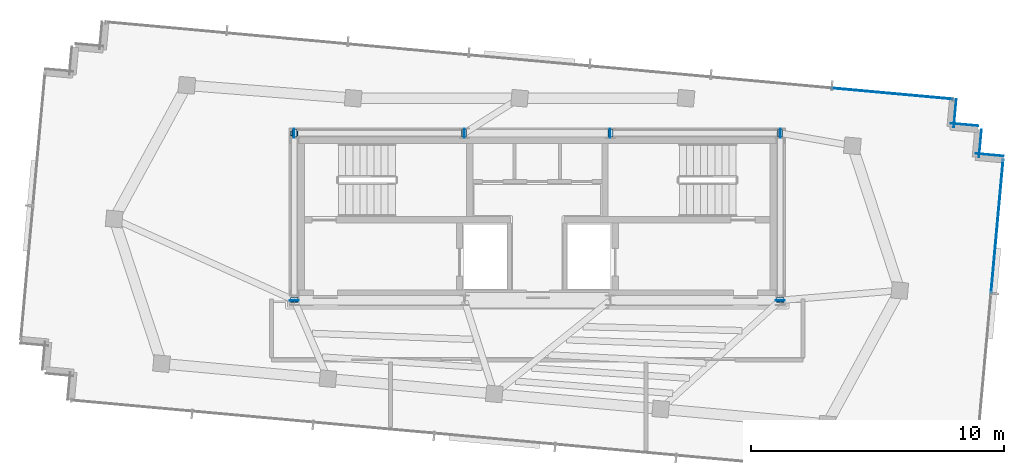
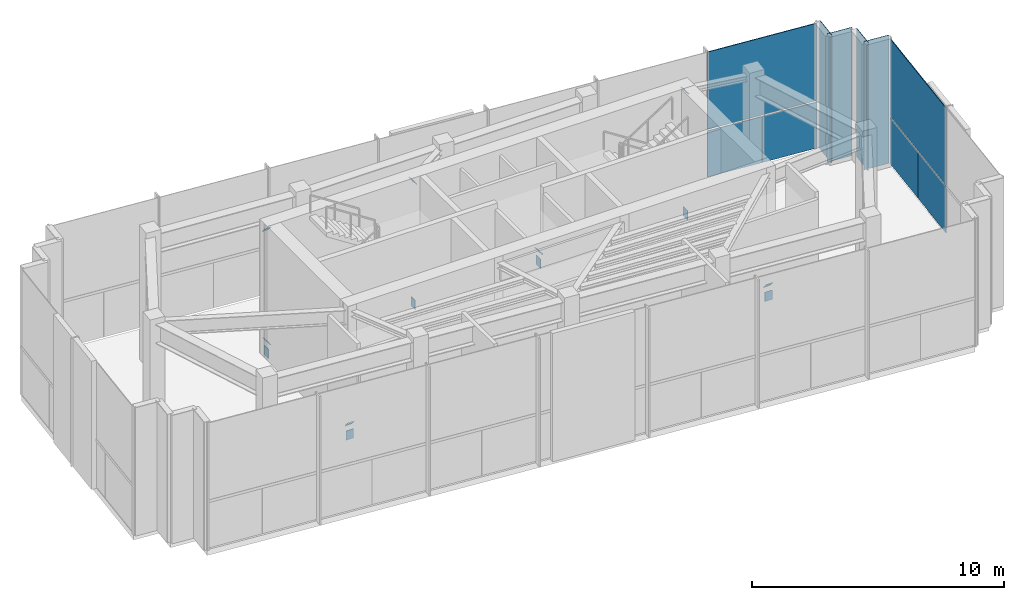
# One storey, part 15 of 19: 23 plates, 2 elements without a shape of their own.
"""IFC4 building model written with IfcOpenShell, lengths in metres."""

from ifc_helpers import new_model, si_unit, direction, frame, origin, origin_2d, place, context, subcontext, project, spatial, rectangle, extrude, source, transform, mapped, material, layer, layer_set, type_object, type_shapes, element, aggregate, save


model = new_model("IFC4")

# Units and contexts
model_context = context("Model", 3, precision=1e-05, world=origin(), true_north=direction((0.0, 1.0)))
body_context = subcontext(model_context, "Body", "Model", "MODEL_VIEW")
ifc_project = project(units=[si_unit("LENGTHUNIT", "METRE"), si_unit("AREAUNIT", "SQUARE_METRE"), si_unit("VOLUMEUNIT", "CUBIC_METRE"), si_unit("PLANEANGLEUNIT", "RADIAN"), si_unit("MASSUNIT", "GRAM", prefix="KILO")], contexts=[model_context])

# Site, building, storey
site_placement = place(None, origin())
site = spatial("IfcSite", under=ifc_project, at=site_placement, CompositionType="ELEMENT")
building_placement = place(site_placement, origin())
building = spatial("IfcBuilding", under=site, at=building_placement, Name="Astriad Promenade Condominiums", CompositionType="ELEMENT")
storey_placement = place(building_placement, frame((0.0, 0.0, 283.800048828125)))
storey = spatial("IfcBuildingStorey", under=building, at=storey_placement, Name="L79", CompositionType="ELEMENT", Elevation=283.800048828125)

# Plates
ifc_material_1 = material(Name="Steel ASTM A572 Grade 50", Category="steel")
ifc_layer_1 = layer(ifc_material_1, 0.02490234375)
ifc_layer_set_1 = layer_set([ifc_layer_1], Name="Steel ASTM A572 Grade 50")
plate_type_1 = type_object("IfcPlateType", Name="STEEL HOLLOW SECTION END CAP PLATE 30", PredefinedType="USERDEFINED", material=ifc_layer_set_1)
shared_shape_1 = source(origin(), body_context, "Body", "SweptSolid", [
    extrude(rectangle(XDim=0.3447265625, YDim=0.4462890625, at=origin_2d()), origin(), (0.0, 0.0, 1.0), 0.02490234375),
])
for number, where, z_axis, x_axis, name in (
    (1, (26.380126953125, 24.0, 0.119873046875), (1.0, 0.0, 0.0), (0.0, 1.0, 0.0), "Hollow Section End Cap Plate HCHORD-L79-01-A"),
    (2, (33.114990234375, 24.0, 0.119873046875), (1.0, 0.0, 0.0), (0.0, 1.0, 0.0), "Hollow Section End Cap Plate HCHORD-L79-01-B"),
    (3, (38.860107421875, 24.0, 0.119873046875), (1.0, 0.0, 0.0), (0.0, 1.0, 0.0), "Hollow Section End Cap Plate HCHORD-L79-02-A"),
    (4, (45.594970703125, 24.0, 0.119873046875), (1.0, 0.0, 0.0), (0.0, 1.0, 0.0), "Hollow Section End Cap Plate HCHORD-L79-02-B"),
    (5, (26.39990234375, 17.380126953125, 0.119873046875), (0.0, 1.0, 0.0), (-1.0, 0.0, 0.0), "Hollow Section End Cap Plate HCHORD-L79-03-A"),
    (6, (45.60009765625, 17.380126953125, 0.119873046875), (0.0, 1.0, 0.0), (-1.0, 0.0, 0.0), "Hollow Section End Cap Plate HCHORD-L79-04-A"),
):
    element("IfcPlate", number, at=place(storey_placement, frame(where, z_axis=z_axis, x_axis=x_axis)), inside=storey, type_object=plate_type_1, Name=name, ObjectType="STIFFENER_PLATE", PredefinedType="USERDEFINED", context=body_context, shape_type="MappedRepresentation", body=[
        mapped(shared_shape_1, transform((0.0, 0.0, 0.0), scale=1.0)),
    ])
shared_shape_2 = source(origin(), body_context, "Body", "SweptSolid", [
    extrude(rectangle(XDim=0.2939453125, YDim=0.2939453125, at=origin_2d()), origin(), (0.0, 0.0, 1.0), 0.02490234375),
])
type_shapes(plate_type_1, [shared_shape_1, shared_shape_2])
for number, where, z_axis, x_axis, name in (
    (7, (26.39990234375, 24.0, 0.619873046875), (0.776675511191, 0.0, 0.629900905155), (0.0, 1.0, 0.0), "Hollow Section End Cap Plate HBRACE-L79-01-A"),
    (8, (33.1005859375, 24.0, 6.054443359375), (0.776675511191, 0.0, 0.629900905155), (0.0, 1.0, 0.0), "Hollow Section End Cap Plate HBRACE-L79-01-B"),
    (9, (38.8798828125, 24.0, 0.619873046875), (0.776675511191, 0.0, 0.629900905155), (0.0, 1.0, 0.0), "Hollow Section End Cap Plate HBRACE-L79-02-A"),
    (10, (45.58056640625, 24.0, 6.054443359375), (0.776675511191, 0.0, 0.629900905155), (0.0, 1.0, 0.0), "Hollow Section End Cap Plate HBRACE-L79-02-B"),
    (11, (26.39990234375, 17.400146484375, 0.6201171875), (0.0, 0.771082160614, 0.636735660681), (-1.0, 0.0, 0.0), "Hollow Section End Cap Plate HBRACE-L79-03-A"),
    (12, (26.39990234375, 23.980712890625, 6.05419921875), (0.0, 0.771082160614, 0.636735660681), (-1.0, 0.0, 0.0), "Hollow Section End Cap Plate HBRACE-L79-03-B"),
    (13, (45.60009765625, 17.400146484375, 0.6201171875), (0.0, 0.771082160614, 0.636735660681), (-1.0, 0.0, 0.0), "Hollow Section End Cap Plate HBRACE-L79-04-A"),
):
    element("IfcPlate", number, at=place(storey_placement, frame(where, z_axis=z_axis, x_axis=x_axis)), inside=storey, type_object=plate_type_1, Name=name, ObjectType="STIFFENER_PLATE", PredefinedType="USERDEFINED", context=body_context, shape_type="MappedRepresentation", body=[
        mapped(shared_shape_2, transform((0.0, 0.0, 0.0), scale=1.0)),
    ])

# Curtain wall, plates
ifc_material_2 = material(Name="Anodised aluminium Black Dark Glass Unitised", Category="aluminium")
curtain_wall_type = type_object("IfcCurtainWallType", Name="CW-TMD-LANTERN", PredefinedType="USERDEFINED", material=ifc_material_2)
curtain_wall_1_placement = place(storey_placement, origin())
curtain_wall_1 = element("IfcCurtainWall", 14, at=curtain_wall_1_placement, inside=storey, type_object=curtain_wall_type, Name="CW-CRN-L79-13", ObjectType="UNITISED_CURTAIN_WALL", PredefinedType="USERDEFINED")
ifc_material_3 = material(Name="Translucent Acoustic Fritted Dark Glass", Category="glass")
ifc_layer_2 = layer(ifc_material_3, 0.035888671875)
ifc_layer_set_2 = layer_set([ifc_layer_2], Name="Translucent Acoustic Fritted Dark Glass")
plate_type_2 = type_object("IfcPlateType", Name="PNL-LANTERN-GLOW-36", PredefinedType="CURTAIN_PANEL", material=ifc_layer_set_2)
shared_shape_3 = source(origin(), body_context, "Body", "SweptSolid", [
    extrude(rectangle(XDim=2.637939453125, YDim=0.035888671875, at=origin_2d()), origin(), (0.0, 0.0, 1.0), 2.22998046875),
])
plate_1_placement = place(storey_placement, frame((54.281982421875, 21.63671875, 0.080078125), z_axis=(0.0, 0.0, 1.0), x_axis=(-0.090632580198, -0.995884398616, 0.0)))
plate_1 = element("IfcPlate", 15, at=plate_1_placement, type_object=plate_type_2, Name="CW-CRN-L79-13-PNL-00-VL", PredefinedType="CURTAIN_PANEL", context=body_context, shape_type="MappedRepresentation", body=[
    mapped(shared_shape_3, transform((0.0, 0.0, 0.0), scale=1.0)),
])
plate_2_placement = place(storey_placement, frame((54.0419921875, 18.99755859375, 0.080078125), z_axis=(0.0, 0.0, 1.0), x_axis=(-0.090632580198, -0.995884398616, 0.0)))
plate_2 = element("IfcPlate", 16, at=plate_2_placement, type_object=plate_type_2, Name="CW-CRN-L79-13-PNL-00-VR", PredefinedType="CURTAIN_PANEL", context=body_context, shape_type="MappedRepresentation", body=[
    mapped(shared_shape_3, transform((0.0, 0.0, 0.0), scale=1.0)),
])
shared_shape_4 = source(origin(), body_context, "Body", "SweptSolid", [
    extrude(rectangle(XDim=5.2880859375, YDim=0.035888671875, at=origin_2d()), origin(), (0.0, 0.0, 1.0), 3.75),
])
plate_3_placement = place(storey_placement, frame((54.162109375, 20.317138671875, 2.389892578125), z_axis=(0.0, 0.0, 1.0), x_axis=(-0.090632580198, -0.995884398616, 0.0)))
plate_3 = element("IfcPlate", 17, at=plate_3_placement, type_object=plate_type_2, Name="CW-CRN-L79-13-PNL-00-S", PredefinedType="CURTAIN_PANEL", context=body_context, shape_type="MappedRepresentation", body=[
    mapped(shared_shape_4, transform((0.0, 0.0, 0.0), scale=1.0)),
])
aggregate(curtain_wall_1, [plate_1, plate_2, plate_3])

# Plates
ifc_material_4 = material(Name="Powder-Coated White Aluminium Cladding Sheet", Category="aluminium")
ifc_layer_3 = layer(ifc_material_4, 0.01806640625)
ifc_layer_set_3 = layer_set([ifc_layer_3], Name="Powder-Coated White Aluminium Cladding Sheet")
plate_type_3 = type_object("IfcPlateType", Name="PNL-CROWN-RING-18", PredefinedType="SHEET", material=ifc_layer_set_3)
shared_shape_5 = source(origin(), body_context, "Body", "SweptSolid", [
    extrude(rectangle(XDim=1.10009765625, YDim=0.02490234375, at=origin_2d()), origin(), (0.0, 0.0, 1.0), 6.219970703125),
])
for number, where, z_axis, x_axis, name in (
    (18, (52.5, 24.785888671875, 0.0), (0.0, 0.0, 1.0), (-0.090632580198, -0.995884398616, 0.0), "PLT-CRN-L79-09"),
    (19, (52.871337890625, 24.340576171875, 0.0), (0.0, 0.0, 1.0), (0.995884398616, -0.090632580198, 0.0), "PLT-CRN-L79-10"),
    (20, (53.8671875, 23.1455078125, 0.0), (0.0, 0.0, 1.0), (0.995884398616, -0.090632580198, 0.0), "PLT-CRN-L79-12"),
):
    element("IfcPlate", number, at=place(storey_placement, frame(where, z_axis=z_axis, x_axis=x_axis)), inside=storey, type_object=plate_type_3, Name=name, PredefinedType="SHEET", context=body_context, shape_type="MappedRepresentation", body=[
        mapped(shared_shape_5, transform((0.0, 0.0, 0.0), scale=1.0)),
    ])
shared_shape_6 = source(origin(), body_context, "Body", "SweptSolid", [
    extrude(rectangle(XDim=1.099853515625, YDim=0.02490234375, at=origin_2d()), origin(), (0.0, 0.0, 1.0), 6.219970703125),
])
type_shapes(plate_type_3, [shared_shape_5, shared_shape_6])
plate_4_placement = place(storey_placement, frame((53.495849609375, 23.5908203125, 0.0), z_axis=(0.0, 0.0, 1.0), x_axis=(-0.090649961646, -0.995882816627, 0.0)))
element("IfcPlate", 21, at=plate_4_placement, inside=storey, type_object=plate_type_3, Name="PLT-CRN-L79-11", PredefinedType="SHEET", context=body_context, shape_type="MappedRepresentation", body=[
    mapped(shared_shape_6, transform((0.0, 0.0, 0.0), scale=1.0)),
])

# Curtain wall, plates
curtain_wall_2_placement = place(storey_placement, origin())
curtain_wall_2 = element("IfcCurtainWall", 22, at=curtain_wall_2_placement, inside=storey, type_object=curtain_wall_type, Name="CW-CRN-L79-08", ObjectType="UNITISED_CURTAIN_WALL", PredefinedType="USERDEFINED")
shared_shape_7 = source(origin(), body_context, "Body", "SweptSolid", [
    extrude(rectangle(XDim=2.387939453125, YDim=0.035888671875, at=origin_2d()), origin(), (0.0, 0.0, 1.0), 2.22998046875),
])
plate_5_placement = place(storey_placement, frame((48.825439453125, 25.6728515625, 0.080078125), z_axis=(0.0, 0.0, 1.0), x_axis=(0.995884398616, -0.090632580198, 0.0)))
plate_5 = element("IfcPlate", 23, at=plate_5_placement, type_object=plate_type_2, Name="CW-CRN-L79-08-PNL-06-VL", PredefinedType="CURTAIN_PANEL", context=body_context, shape_type="MappedRepresentation", body=[
    mapped(shared_shape_7, transform((0.0, 0.0, 0.0), scale=1.0)),
])
plate_6_placement = place(storey_placement, frame((51.215576171875, 25.455078125, 0.080078125), z_axis=(0.0, 0.0, 1.0), x_axis=(0.995884398616, -0.090632580198, 0.0)))
plate_6 = element("IfcPlate", 24, at=plate_6_placement, type_object=plate_type_2, Name="CW-CRN-L79-08-PNL-06-VR", PredefinedType="CURTAIN_PANEL", context=body_context, shape_type="MappedRepresentation", body=[
    mapped(shared_shape_7, transform((0.0, 0.0, 0.0), scale=1.0)),
])
shared_shape_8 = source(origin(), body_context, "Body", "SweptSolid", [
    extrude(rectangle(XDim=4.7880859375, YDim=0.035888671875, at=origin_2d()), origin(), (0.0, 0.0, 1.0), 3.75),
])
type_shapes(plate_type_2, [shared_shape_3, shared_shape_4, shared_shape_7, shared_shape_8])
plate_7_placement = place(storey_placement, frame((50.0205078125, 25.56396484375, 2.389892578125), z_axis=(0.0, 0.0, 1.0), x_axis=(0.995884398616, -0.090632580198, 0.0)))
plate_7 = element("IfcPlate", 25, at=plate_7_placement, type_object=plate_type_2, Name="CW-CRN-L79-08-PNL-06-S", PredefinedType="CURTAIN_PANEL", context=body_context, shape_type="MappedRepresentation", body=[
    mapped(shared_shape_8, transform((0.0, 0.0, 0.0), scale=1.0)),
])
aggregate(curtain_wall_2, [plate_5, plate_6, plate_7])

save(model, "model.ifc")
